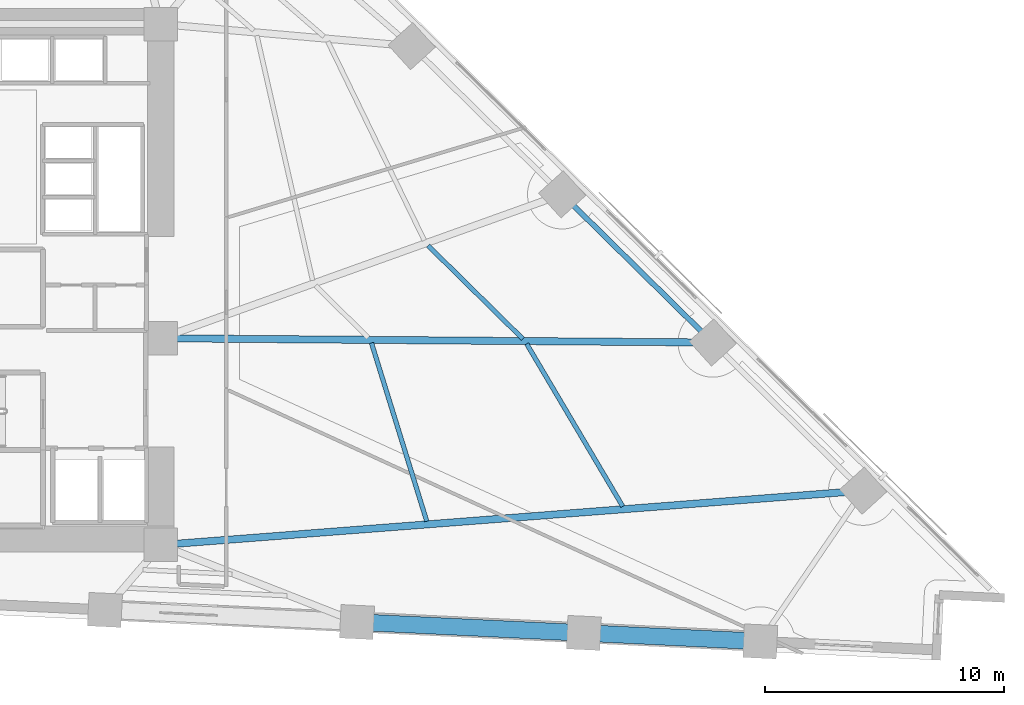
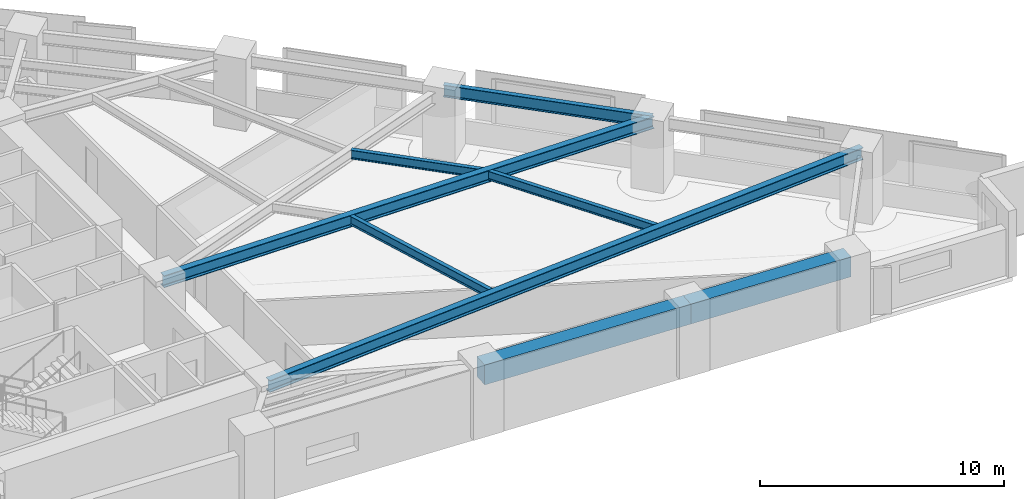
# One storey, part 3 of 18: 8 beams.
"""IFC4 building model written with IfcOpenShell, lengths in metres."""

from ifc_helpers import new_model, si_unit, direction, frame, origin, origin_2d, place, context, subcontext, project, spatial, rectangle, i_section, extrude, material, material_profile, profile_set, type_object, element, save


model = new_model("IFC4")

# Units and contexts
model_context = context("Model", 3, precision=1e-05, world=origin(), true_north=direction((0.0, 1.0)))
body_context = subcontext(model_context, "Body", "Model", "MODEL_VIEW")
ifc_project = project(units=[si_unit("LENGTHUNIT", "METRE"), si_unit("AREAUNIT", "SQUARE_METRE"), si_unit("VOLUMEUNIT", "CUBIC_METRE"), si_unit("PLANEANGLEUNIT", "RADIAN"), si_unit("MASSUNIT", "GRAM", prefix="KILO")], contexts=[model_context])

# Site, building, storey
site_placement = place(None, origin())
site = spatial("IfcSite", under=ifc_project, at=site_placement, CompositionType="ELEMENT")
building_placement = place(site_placement, origin())
building = spatial("IfcBuilding", under=site, at=building_placement, Name="Narakoshi Arena Tower", CompositionType="ELEMENT")
storey_placement = place(building_placement, frame((0.0, 0.0, 44.699951171875)))
storey = spatial("IfcBuildingStorey", under=building, at=storey_placement, Name="L11", CompositionType="ELEMENT", Elevation=44.699951171875)

# Beams
ifc_material_1 = material(Name="Concrete C60/75", Category="concrete")
ifc_material_profile_1 = material_profile(ifc_material_1, rectangle(XDim=0.699951171875, YDim=1.0, at=origin_2d()), Name="RCB700x1000")
ifc_profile_set_1 = profile_set([ifc_material_profile_1], Name="Concrete C60/75")
beam_type_1 = type_object("IfcBeamType", Name="BM-CPL-1000", PredefinedType="BEAM", material=ifc_profile_set_1)
beam_1_placement = place(storey_placement, frame((93.760009765625, 31.472412109375, 2.840087890625), z_axis=(0.998849228903, -0.047960587155, 0.0), x_axis=(0.047960587155, 0.998849228903, 0.0)))
element("IfcBeam", 1, at=beam_1_placement, inside=storey, type_object=beam_type_1, Name="L11 Perimeter Edge Girder 02", PredefinedType="BEAM", context=body_context, shape_type="SweptSolid", body=[
    extrude(rectangle(XDim=0.699951171875, YDim=1.0, at=origin_2d()), origin(), (0.0, 0.0, 1.0), 9.50390625),
])
beam_2_placement = place(storey_placement, frame((103.2529296875, 31.0166015625, 2.840087890625), z_axis=(0.998847872759, -0.047988822508, 0.0), x_axis=(0.047988822508, 0.998847872759, 0.0)))
element("IfcBeam", 2, at=beam_2_placement, inside=storey, type_object=beam_type_1, Name="L11 Perimeter Edge Girder 03", PredefinedType="BEAM", context=body_context, shape_type="SweptSolid", body=[
    extrude(rectangle(XDim=0.699951171875, YDim=1.0, at=origin_2d()), origin(), (0.0, 0.0, 1.0), 7.39208984375),
])
ifc_material_2 = material(Name="Structural steel S355J2", Category="steel")
ifc_material_profile_2 = material_profile(ifc_material_2, i_section(OverallWidth=0.219970703125, OverallDepth=0.60009765625, WebThickness=0.011962890625, FlangeThickness=0.01904296875, FilletRadius=0.02392578125, at=origin_2d()), Name="IPE600")
ifc_profile_set_2 = profile_set([ifc_material_profile_2], Name="Structural steel S355J2")
beam_type_2 = type_object("IfcBeamType", Name="BM-EDGE-600", PredefinedType="BEAM", material=ifc_profile_set_2)
beam_3_placement = place(storey_placement, frame((108.643798828125, 43.171875, 3.0400390625), z_axis=(-0.712540689328, 0.70163079041, 0.0), x_axis=(-0.70163079041, -0.712540689328, 0.0)))
element("IfcBeam", 3, at=beam_3_placement, inside=storey, type_object=beam_type_2, Name="L11 Perimeter Edge Girder 06", PredefinedType="BEAM", context=body_context, shape_type="SweptSolid", body=[
    extrude(i_section(OverallWidth=0.219970703125, OverallDepth=0.60009765625, WebThickness=0.011962890625, FlangeThickness=0.01904296875, FilletRadius=0.02392578125, at=origin_2d()), origin(), (0.0, 0.0, 1.0), 8.83935546875),
])
ifc_material_profile_3 = material_profile(ifc_material_2, i_section(OverallWidth=0.300048828125, OverallDepth=0.60009765625, WebThickness=0.015380859375, FlangeThickness=0.030029296875, FilletRadius=0.027099609375, at=origin_2d()), Name="HE600B")
ifc_profile_set_3 = profile_set([ifc_material_profile_3], Name="Structural steel S355J2")
beam_type_3 = type_object("IfcBeamType", Name="BM-PRI-600", PredefinedType="BEAM", material=ifc_profile_set_3)
beam_4_placement = place(storey_placement, frame((85.550048828125, 34.699951171875, 3.0400390625), z_axis=(0.99703085997, 0.077003014669, 0.0), x_axis=(-0.077003014669, 0.99703085997, 0.0)))
element("IfcBeam", 4, at=beam_4_placement, inside=storey, type_object=beam_type_3, Name="L11 Radial Primary Floor Girder 05", PredefinedType="BEAM", context=body_context, shape_type="SweptSolid", body=[
    extrude(i_section(OverallWidth=0.300048828125, OverallDepth=0.60009765625, WebThickness=0.015380859375, FlangeThickness=0.030029296875, FilletRadius=0.027099609375, at=origin_2d()), origin(), (0.0, 0.0, 1.0), 29.479736328125),
])
beam_5_placement = place(storey_placement, frame((85.550048828125, 43.35009765625, 3.0400390625), z_axis=(0.99997022255, -0.00771712473, 0.0), x_axis=(0.00771712473, 0.99997022255, 0.0)))
element("IfcBeam", 5, at=beam_5_placement, inside=storey, type_object=beam_type_3, Name="L11 Radial Primary Floor Girder 06", PredefinedType="BEAM", context=body_context, shape_type="SweptSolid", body=[
    extrude(i_section(OverallWidth=0.300048828125, OverallDepth=0.60009765625, WebThickness=0.015380859375, FlangeThickness=0.030029296875, FilletRadius=0.027099609375, at=origin_2d()), origin(), (0.0, 0.0, 1.0), 23.094482421875),
])
ifc_material_profile_4 = material_profile(ifc_material_2, i_section(OverallWidth=0.18994140625, OverallDepth=0.449951171875, WebThickness=0.009521484375, FlangeThickness=0.0146484375, FilletRadius=0.02099609375, at=origin_2d()), Name="IPE450")
ifc_profile_set_4 = profile_set([ifc_material_profile_4], Name="Structural steel S355J2")
beam_type_4 = type_object("IfcBeamType", Name="BM-SEC-450", PredefinedType="JOIST", material=ifc_profile_set_4)
beam_6_placement = place(storey_placement, frame((96.67919921875, 35.69140625, 3.114990234375), z_axis=(-0.296160353324, 0.955138233513, 0.0), x_axis=(-0.955138233513, -0.296160353324, 0.0)))
element("IfcBeam", 6, at=beam_6_placement, inside=storey, type_object=beam_type_4, Name="L11 Composite Secondary Floor Joist 03", PredefinedType="JOIST", context=body_context, shape_type="SweptSolid", body=[
    extrude(i_section(OverallWidth=0.18994140625, OverallDepth=0.449951171875, WebThickness=0.009521484375, FlangeThickness=0.0146484375, FilletRadius=0.02099609375, at=origin_2d()), origin(), (0.0, 0.0, 1.0), 7.8125),
])
beam_7_placement = place(storey_placement, frame((104.880126953125, 36.314453125, 3.114990234375), z_axis=(-0.508758462188, 0.860909302512, 0.0), x_axis=(-0.860909302512, -0.508758462188, 0.0)))
element("IfcBeam", 7, at=beam_7_placement, inside=storey, type_object=beam_type_4, Name="L11 Composite Secondary Floor Joist 04", PredefinedType="JOIST", context=body_context, shape_type="SweptSolid", body=[
    extrude(i_section(OverallWidth=0.18994140625, OverallDepth=0.449951171875, WebThickness=0.009521484375, FlangeThickness=0.0146484375, FilletRadius=0.02099609375, at=origin_2d()), origin(), (0.0, 0.0, 1.0), 7.900634765625),
])
beam_8_placement = place(storey_placement, frame((100.69580078125, 43.3271484375, 3.114990234375), z_axis=(-0.712548594801, 0.701622761923, 0.0), x_axis=(-0.701622761923, -0.712548594801, 0.0)))
element("IfcBeam", 8, at=beam_8_placement, inside=storey, type_object=beam_type_4, Name="L11 Composite Secondary Floor Joist 06", PredefinedType="JOIST", context=body_context, shape_type="SweptSolid", body=[
    extrude(i_section(OverallWidth=0.18994140625, OverallDepth=0.449951171875, WebThickness=0.009521484375, FlangeThickness=0.0146484375, FilletRadius=0.02099609375, at=origin_2d()), origin(), (0.0, 0.0, 1.0), 5.56396484375),
])

save(model, "model.ifc")
